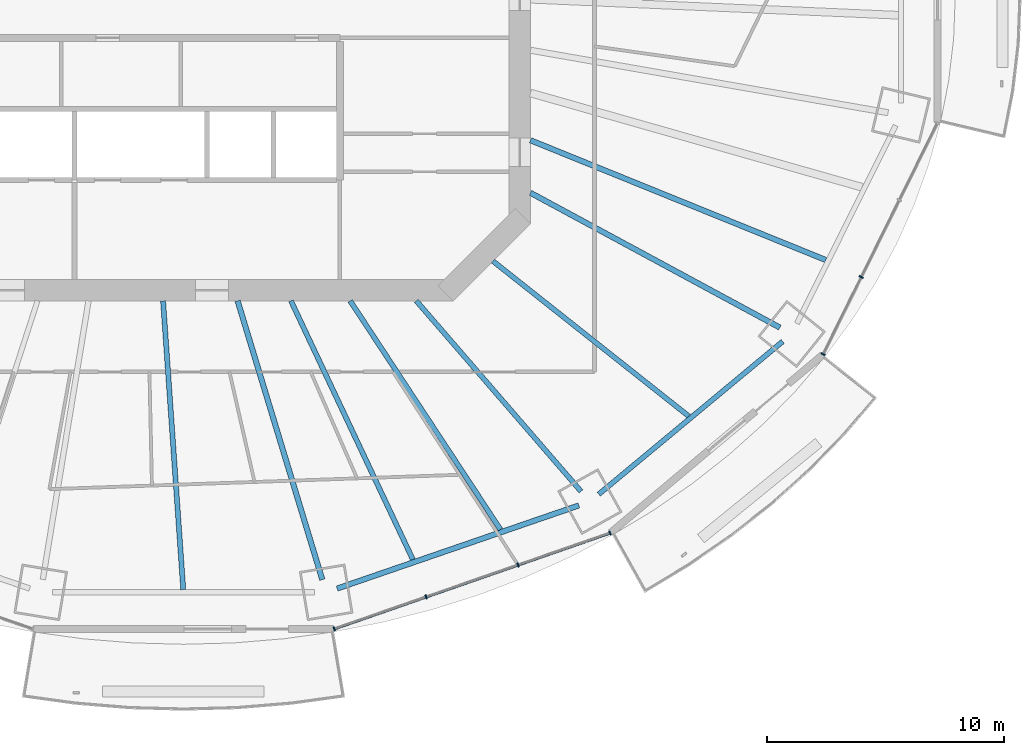
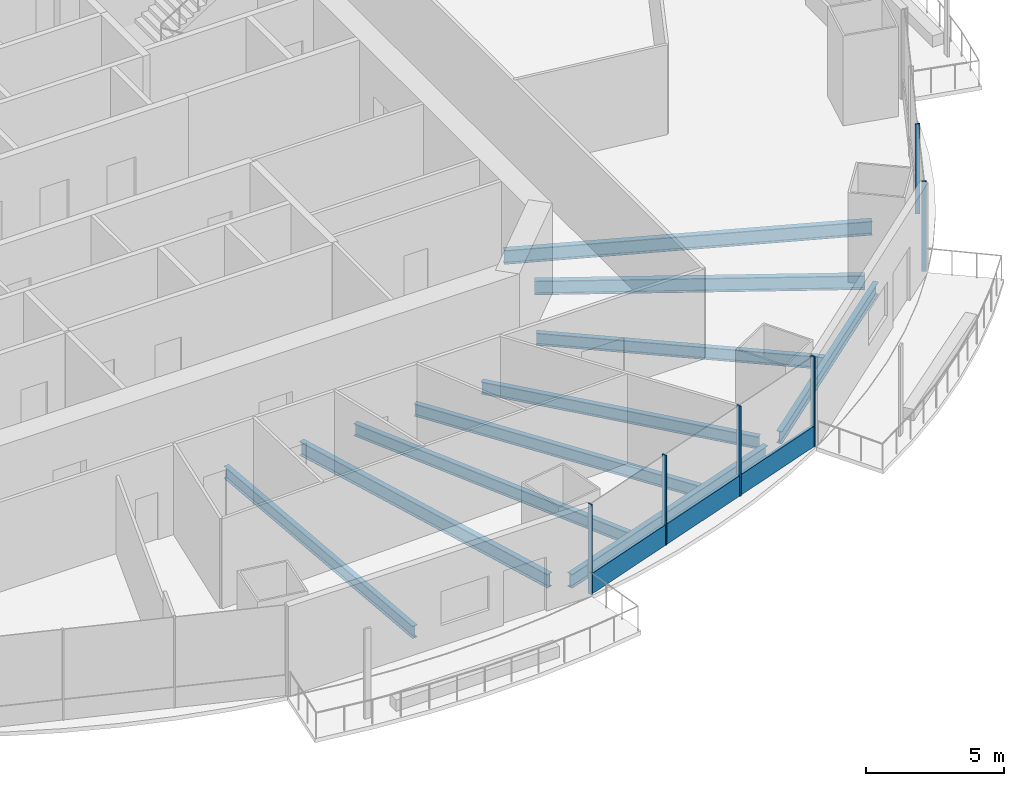
# One storey, part 4 of 20: 10 beams, 7 members, 2 elements without a shape of their own.
"""IFC4 building model written with IfcOpenShell, lengths in metres."""

from ifc_helpers import new_model, si_unit, direction, frame, origin, origin_2d, place, context, subcontext, project, spatial, rectangle, i_section, extrude, material, material_profile, profile_set, type_object, element, aggregate, save


model = new_model("IFC4")

# Units and contexts
model_context = context("Model", 3, precision=1e-05, world=origin(), true_north=direction((0.0, 1.0)))
body_context = subcontext(model_context, "Body", "Model", "MODEL_VIEW")
ifc_project = project(units=[si_unit("LENGTHUNIT", "METRE"), si_unit("AREAUNIT", "SQUARE_METRE"), si_unit("VOLUMEUNIT", "CUBIC_METRE"), si_unit("PLANEANGLEUNIT", "RADIAN"), si_unit("MASSUNIT", "GRAM", prefix="KILO")], contexts=[model_context])

# Site, building, storey
site_placement = place(None, origin())
site = spatial("IfcSite", under=ifc_project, at=site_placement, CompositionType="ELEMENT")
building_placement = place(site_placement, origin())
building = spatial("IfcBuilding", under=site, at=building_placement, Name="Marenthal Gate Tower", CompositionType="ELEMENT")
storey_placement = place(building_placement, frame((0.0, 0.0, 173.5)))
storey = spatial("IfcBuildingStorey", under=building, at=storey_placement, Name="L37", CompositionType="ELEMENT", Elevation=173.5)

# Curtain wall, members
ifc_material_1 = material(Name="Aluminium and glass", Category="aluminium")
curtain_wall_type = type_object("IfcCurtainWallType", Name="Curtain wall typical mid", PredefinedType="NOTDEFINED", material=ifc_material_1)
curtain_wall_1_placement = place(storey_placement, origin())
curtain_wall_1 = element("IfcCurtainWall", 1, at=curtain_wall_1_placement, inside=storey, type_object=curtain_wall_type, Name="Curtain wall L37 bay 13", PredefinedType="NOTDEFINED")
ifc_material_2 = material(Name="Aluminium", Category="aluminium")
ifc_material_profile_1 = material_profile(ifc_material_2, rectangle(XDim=0.179931640625, YDim=0.06005859375, at=origin_2d()), Name="60x180 aluminium mullion")
ifc_profile_set_1 = profile_set([ifc_material_profile_1], Name="Aluminium")
member_type_1 = type_object("IfcMemberType", Name="Mullion 60x180 typical mid", PredefinedType="MULLION", material=ifc_profile_set_1)
member_1_placement = place(storey_placement, frame((8.160400390625, -27.29296875, 0.0), z_axis=(0.0, 0.0, 1.0), x_axis=(-0.32821091538, 0.944604464856, 0.0)))
member_1 = element("IfcMember", 2, at=member_1_placement, type_object=member_type_1, Name="Mullion L37 bay 13.1", PredefinedType="MULLION", context=body_context, shape_type="SweptSolid", body=[
    extrude(rectangle(XDim=0.179931640625, YDim=0.06005859375, at=origin_2d()), origin(), (0.0, 0.0, 1.0), 3.969970703125),
])
member_2_placement = place(storey_placement, frame((12.04150390625, -25.944580078125, 0.0), z_axis=(0.0, 0.0, 1.0), x_axis=(-0.32821091538, 0.944604464856, 0.0)))
member_2 = element("IfcMember", 3, at=member_2_placement, type_object=member_type_1, Name="Mullion L37 bay 13.2", PredefinedType="MULLION", context=body_context, shape_type="SweptSolid", body=[
    extrude(rectangle(XDim=0.179931640625, YDim=0.06005859375, at=origin_2d()), origin(), (0.0, 0.0, 1.0), 3.969970703125),
])
member_3_placement = place(storey_placement, frame((15.922607421875, -24.595947265625, 0.0), z_axis=(0.0, 0.0, 1.0), x_axis=(-0.32821091538, 0.944604464856, 0.0)))
member_3 = element("IfcMember", 4, at=member_3_placement, type_object=member_type_1, Name="Mullion L37 bay 13.3", PredefinedType="MULLION", context=body_context, shape_type="SweptSolid", body=[
    extrude(rectangle(XDim=0.179931640625, YDim=0.06005859375, at=origin_2d()), origin(), (0.0, 0.0, 1.0), 3.969970703125),
])
member_4_placement = place(storey_placement, frame((19.8037109375, -23.24755859375, 0.0), z_axis=(0.0, 0.0, 1.0), x_axis=(-0.32821091538, 0.944604464856, 0.0)))
member_4 = element("IfcMember", 5, at=member_4_placement, type_object=member_type_1, Name="Mullion L37 bay 13.4", PredefinedType="MULLION", context=body_context, shape_type="SweptSolid", body=[
    extrude(rectangle(XDim=0.179931640625, YDim=0.06005859375, at=origin_2d()), origin(), (0.0, 0.0, 1.0), 3.969970703125),
])

curtain_wall_2_placement = place(storey_placement, origin())
curtain_wall_2 = element("IfcCurtainWall", 6, at=curtain_wall_2_placement, inside=storey, type_object=curtain_wall_type, Name="Curtain wall L37 bay 15", PredefinedType="NOTDEFINED")
member_5_placement = place(storey_placement, frame((28.80029296875, -15.69921875, 0.0), z_axis=(0.0, 0.0, 1.0), x_axis=(-0.89664343149, 0.442753381428, 0.0)))
member_5 = element("IfcMember", 7, at=member_5_placement, type_object=member_type_1, Name="Mullion L37 bay 15.1", PredefinedType="MULLION", context=body_context, shape_type="SweptSolid", body=[
    extrude(rectangle(XDim=0.179931640625, YDim=0.06005859375, at=origin_2d()), origin(), (0.0, 0.0, 1.0), 3.969970703125),
])
member_6_placement = place(storey_placement, frame((30.40673828125, -12.445556640625, 0.0), z_axis=(0.0, 0.0, 1.0), x_axis=(-0.89664343149, 0.442753381428, 0.0)))
member_6 = element("IfcMember", 8, at=member_6_placement, type_object=member_type_1, Name="Mullion L37 bay 15.2", PredefinedType="MULLION", context=body_context, shape_type="SweptSolid", body=[
    extrude(rectangle(XDim=0.179931640625, YDim=0.06005859375, at=origin_2d()), origin(), (0.0, 0.0, 1.0), 3.969970703125),
])
aggregate(curtain_wall_2, [member_5, member_6])

# Member
ifc_material_3 = material(Name="Aluminium", Category="aluminium")
ifc_material_profile_2 = material_profile(ifc_material_3, rectangle(XDim=0.1201171875, YDim=0.89990234375, at=origin_2d()), Name="120x900 aluminium transom")
ifc_profile_set_2 = profile_set([ifc_material_profile_2], Name="Aluminium")
member_type_2 = type_object("IfcMemberType", Name="Transom 120x900 typical mid", PredefinedType="USERDEFINED", material=ifc_profile_set_2)
member_7_placement = place(storey_placement, frame((8.188720703125, -27.283203125, 0.449951171875), z_axis=(0.944604688319, 0.328210272243, 0.0), x_axis=(-0.328210272243, 0.944604688319, 0.0)))
member_7 = element("IfcMember", 9, at=member_7_placement, type_object=member_type_2, Name="Transom L37 bay 13", ObjectType="TRANSOM", PredefinedType="USERDEFINED", context=body_context, shape_type="SweptSolid", body=[
    extrude(rectangle(XDim=0.1201171875, YDim=0.89990234375, at=origin_2d()), origin(), (0.0, 0.0, 1.0), 12.26611328125),
])

aggregate(curtain_wall_1, [member_1, member_2, member_3, member_4, member_7])

# Beams
ifc_material_4 = material(Name="Steel S355", Category="steel")
ifc_material_profile_3 = material_profile(ifc_material_4, i_section(OverallWidth=0.2099609375, OverallDepth=0.535888671875, WebThickness=0.010986328125, FlangeThickness=0.017333984375, FilletRadius=0.0126953125, at=origin_2d()), Name="W530X101")
ifc_profile_set_3 = profile_set([ifc_material_profile_3], Name="Steel S355")
beam_type_1 = type_object("IfcBeamType", Name="W530X101 beam", PredefinedType="BEAM", material=ifc_profile_set_3)
beam_1_placement = place(storey_placement, frame((23.12890625, -18.31884765625, -0.447998046875), z_axis=(-0.783911518146, 0.620872556745, 0.0), x_axis=(-0.620872556745, -0.783911518146, 0.0)))
element("IfcBeam", 10, at=beam_1_placement, inside=storey, type_object=beam_type_1, Name="BM-L37-37", PredefinedType="BEAM", context=body_context, shape_type="SweptSolid", body=[
    extrude(i_section(OverallWidth=0.2099609375, OverallDepth=0.535888671875, WebThickness=0.010986328125, FlangeThickness=0.017333984375, FilletRadius=0.0126953125, at=origin_2d()), origin(), (0.0, 0.0, 1.0), 10.54345703125),
])
ifc_material_5 = material(Name="Steel S355", Category="steel")
ifc_material_profile_4 = material_profile(ifc_material_5, i_section(OverallWidth=0.2119140625, OverallDepth=0.5439453125, WebThickness=0.01318359375, FlangeThickness=0.021240234375, FilletRadius=0.0126953125, at=origin_2d()), Name="W530X123")
ifc_profile_set_4 = profile_set([ifc_material_profile_4], Name="Steel S355")
beam_type_2 = type_object("IfcBeamType", Name="W530X123 beam", PredefinedType="BEAM", material=ifc_profile_set_4)
beam_2_placement = place(storey_placement, frame((18.57958984375, -21.490478515625, -0.451904296875), z_axis=(-0.654014478657, 0.756482029996, 0.0), x_axis=(-0.756482029996, -0.654014478657, 0.0)))
element("IfcBeam", 11, at=beam_2_placement, inside=storey, type_object=beam_type_2, Name="BM-L37-14", PredefinedType="BEAM", context=body_context, shape_type="SweptSolid", body=[
    extrude(i_section(OverallWidth=0.2119140625, OverallDepth=0.5439453125, WebThickness=0.01318359375, FlangeThickness=0.021240234375, FilletRadius=0.0126953125, at=origin_2d()), origin(), (0.0, 0.0, 1.0), 10.62890625),
])
beam_3_placement = place(storey_placement, frame((1.7919921875, -25.638671875, -0.451904296875), z_axis=(-0.06971479493, 0.997566963851, 0.0), x_axis=(-0.997566963851, -0.06971479493, 0.0)))
element("IfcBeam", 12, at=beam_3_placement, inside=storey, type_object=beam_type_2, Name="BM-L37-34", PredefinedType="BEAM", context=body_context, shape_type="SweptSolid", body=[
    extrude(i_section(OverallWidth=0.2119140625, OverallDepth=0.5439453125, WebThickness=0.01318359375, FlangeThickness=0.021240234375, FilletRadius=0.0126953125, at=origin_2d()), origin(), (0.0, 0.0, 1.0), 12.218505859375),
])
beam_4_placement = place(storey_placement, frame((11.48486328125, -24.37255859375, -0.451904296875), z_axis=(-0.426266322178, 0.904597713117, 0.0), x_axis=(-0.904597713117, -0.426266322178, 0.0)))
element("IfcBeam", 13, at=beam_4_placement, inside=storey, type_object=beam_type_2, Name="BM-L37-35", PredefinedType="BEAM", context=body_context, shape_type="SweptSolid", body=[
    extrude(i_section(OverallWidth=0.2119140625, OverallDepth=0.5439453125, WebThickness=0.01318359375, FlangeThickness=0.021240234375, FilletRadius=0.0126953125, at=origin_2d()), origin(), (0.0, 0.0, 1.0), 12.074462890625),
])
beam_5_placement = place(storey_placement, frame((15.17919921875, -23.1015625, -0.451904296875), z_axis=(-0.549136123966, 0.835732922264, 0.0), x_axis=(-0.835732922264, -0.549136123966, 0.0)))
element("IfcBeam", 14, at=beam_5_placement, inside=storey, type_object=beam_type_2, Name="BM-L37-36", PredefinedType="BEAM", context=body_context, shape_type="SweptSolid", body=[
    extrude(i_section(OverallWidth=0.2119140625, OverallDepth=0.5439453125, WebThickness=0.01318359375, FlangeThickness=0.021240234375, FilletRadius=0.0126953125, at=origin_2d()), origin(), (0.0, 0.0, 1.0), 11.548583984375),
])
beam_6_placement = place(storey_placement, frame((19.3330078125, -21.609375, -0.451904296875), z_axis=(0.769253878799, 0.638943244704, 0.0), x_axis=(-0.638943244704, 0.769253878799, 0.0)))
element("IfcBeam", 15, at=beam_6_placement, inside=storey, type_object=beam_type_2, Name="BM-L37-54", PredefinedType="BEAM", context=body_context, shape_type="SweptSolid", body=[
    extrude(i_section(OverallWidth=0.2119140625, OverallDepth=0.5439453125, WebThickness=0.01318359375, FlangeThickness=0.021240234375, FilletRadius=0.0126953125, at=origin_2d()), origin(), (0.0, 0.0, 1.0), 10.087158203125),
])
ifc_material_6 = material(Name="Steel S355", Category="steel")
ifc_material_profile_5 = material_profile(ifc_material_6, i_section(OverallWidth=0.22900390625, OverallDepth=0.612060546875, WebThickness=0.011962890625, FlangeThickness=0.01953125, FilletRadius=0.0126953125, at=origin_2d()), Name="W610X125")
ifc_profile_set_5 = profile_set([ifc_material_profile_5], Name="Steel S355")
beam_type_3 = type_object("IfcBeamType", Name="W610X125 beam", PredefinedType="BEAM", material=ifc_profile_set_5)
beam_7_placement = place(storey_placement, frame((7.661376953125, -25.21826171875, -0.486083984375), z_axis=(-0.290680547451, 0.956820160392, 0.0), x_axis=(-0.956820160392, -0.290680547451, 0.0)))
element("IfcBeam", 16, at=beam_7_placement, inside=storey, type_object=beam_type_3, Name="BM-L37-13", PredefinedType="BEAM", context=body_context, shape_type="SweptSolid", body=[
    extrude(i_section(OverallWidth=0.22900390625, OverallDepth=0.612060546875, WebThickness=0.011962890625, FlangeThickness=0.01953125, FilletRadius=0.0126953125, at=origin_2d()), origin(), (0.0, 0.0, 1.0), 12.29931640625),
])
beam_8_placement = place(storey_placement, frame((26.97412109375, -14.578369140625, -0.486083984375), z_axis=(-0.87974135187, 0.475452577877, 0.0), x_axis=(-0.475452577877, -0.87974135187, 0.0)))
element("IfcBeam", 17, at=beam_8_placement, inside=storey, type_object=beam_type_3, Name="BM-L37-15", PredefinedType="BEAM", context=body_context, shape_type="SweptSolid", body=[
    extrude(i_section(OverallWidth=0.22900390625, OverallDepth=0.612060546875, WebThickness=0.011962890625, FlangeThickness=0.01953125, FilletRadius=0.0126953125, at=origin_2d()), origin(), (0.0, 0.0, 1.0), 11.962890625),
])
beam_9_placement = place(storey_placement, frame((28.91162109375, -11.7265625, -0.486083984375), z_axis=(-0.926676727165, 0.375859339821, 0.0), x_axis=(-0.375859339821, -0.926676727165, 0.0)))
element("IfcBeam", 18, at=beam_9_placement, inside=storey, type_object=beam_type_3, Name="BM-L37-38", PredefinedType="BEAM", context=body_context, shape_type="SweptSolid", body=[
    extrude(i_section(OverallWidth=0.22900390625, OverallDepth=0.612060546875, WebThickness=0.011962890625, FlangeThickness=0.01953125, FilletRadius=0.0126953125, at=origin_2d()), origin(), (0.0, 0.0, 1.0), 13.44775390625),
])
beam_10_placement = place(storey_placement, frame((8.2861328125, -25.59423828125, -0.486083984375), z_axis=(0.945596584749, 0.325341511203, 0.0), x_axis=(-0.325341511203, 0.945596584749, 0.0)))
element("IfcBeam", 19, at=beam_10_placement, inside=storey, type_object=beam_type_3, Name="BM-L37-53", PredefinedType="BEAM", context=body_context, shape_type="SweptSolid", body=[
    extrude(i_section(OverallWidth=0.22900390625, OverallDepth=0.612060546875, WebThickness=0.011962890625, FlangeThickness=0.01953125, FilletRadius=0.0126953125, at=origin_2d()), origin(), (0.0, 0.0, 1.0), 10.791748046875),
])

save(model, "model.ifc")
